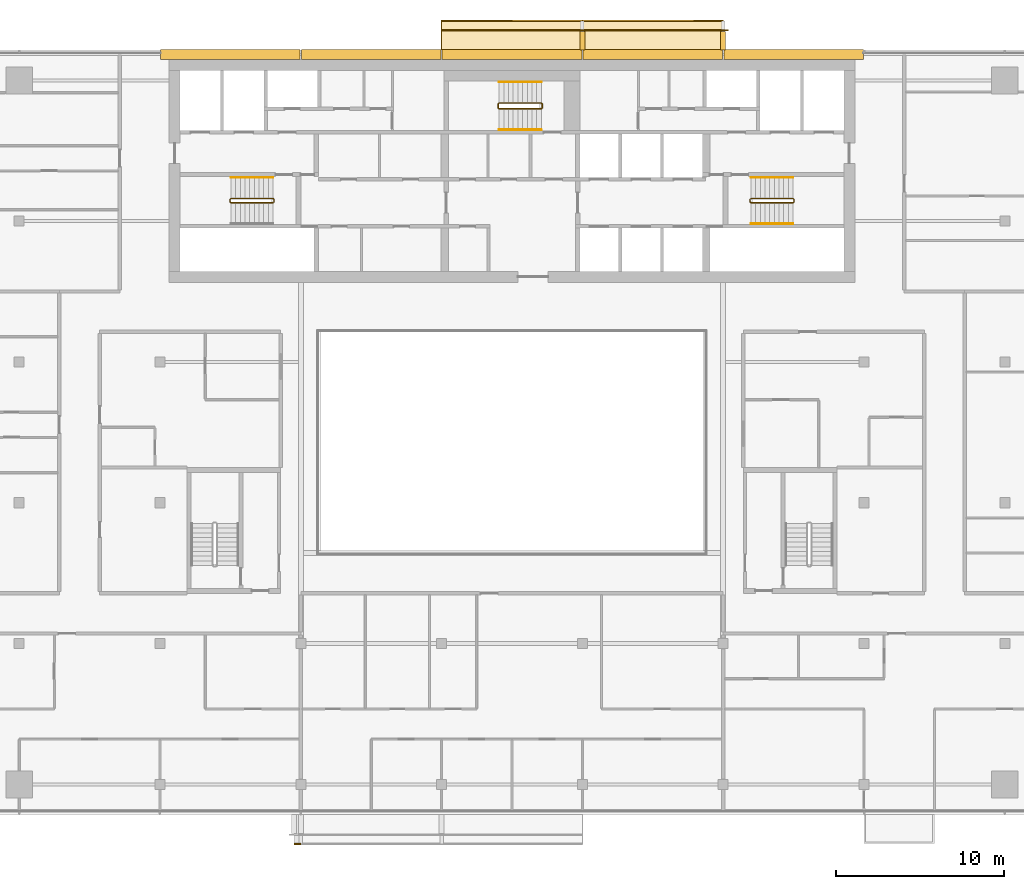
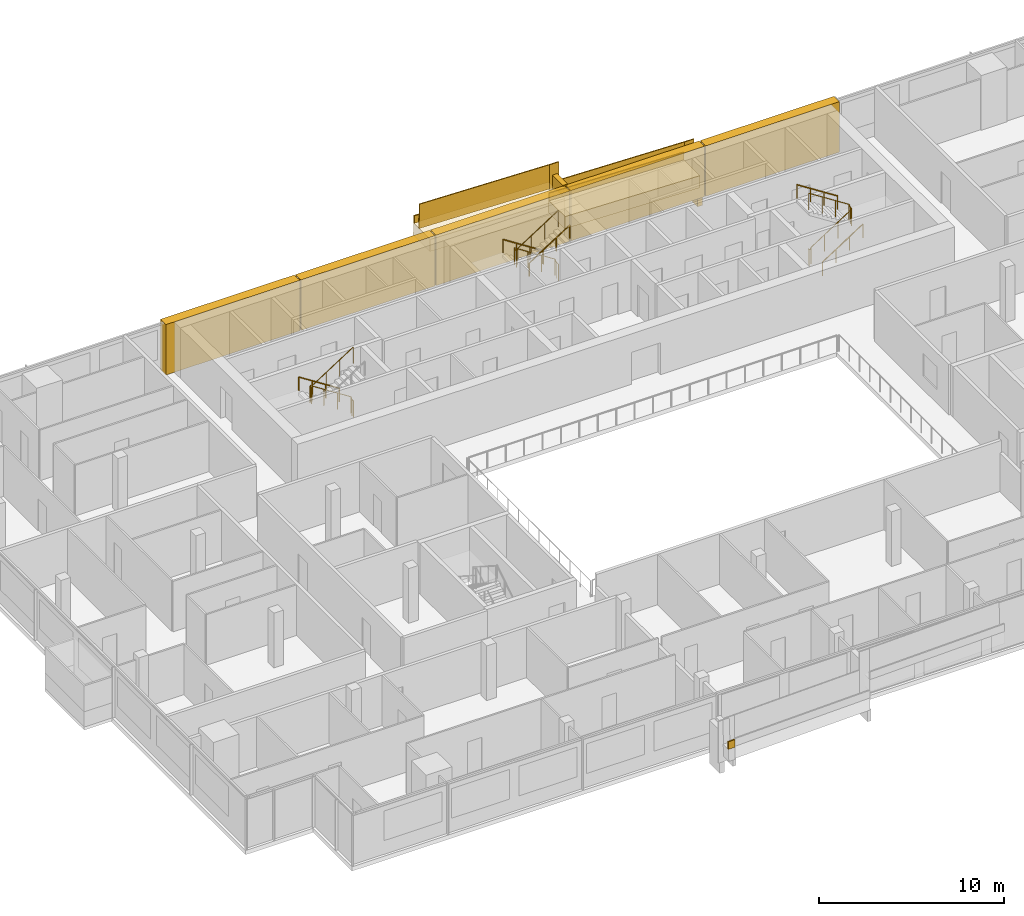
# One storey, part 26 of 26: 12 coverings, 12 railings.
"""IFC4 building model written with IfcOpenShell, lengths in metres."""

from ifc_helpers import new_model, si_unit, direction, frame, origin, origin_2d, place, context, subcontext, project, spatial, polyline, rectangle, circle, outline, extrude, material, layer, layer_set, type_object, element, save


model = new_model("IFC4")

# Units and contexts
model_context = context("Model", 3, precision=1e-05, world=origin(), true_north=direction((0.0, 1.0)))
body_context = subcontext(model_context, "Body", "Model", "MODEL_VIEW")
ifc_project = project(units=[si_unit("LENGTHUNIT", "METRE"), si_unit("AREAUNIT", "SQUARE_METRE"), si_unit("VOLUMEUNIT", "CUBIC_METRE"), si_unit("PLANEANGLEUNIT", "RADIAN"), si_unit("MASSUNIT", "GRAM", prefix="KILO")], contexts=[model_context])

# Site, building, storey
site_placement = place(None, origin())
site = spatial("IfcSite", under=ifc_project, at=site_placement, CompositionType="ELEMENT")
building_placement = place(site_placement, origin())
building = spatial("IfcBuilding", under=site, at=building_placement, Name="Saffron Gate Tower", CompositionType="ELEMENT")
storey_placement = place(building_placement, frame((0.0, 0.0, 230.699951171875)))
storey = spatial("IfcBuildingStorey", under=building, at=storey_placement, Name="L56", CompositionType="ELEMENT", Elevation=230.699951171875)

# Coverings
ifc_material_1 = material(Name="Ceramic-printed bronze insulated panel")
ifc_layer_1 = layer(ifc_material_1, 0.590087890625)
ifc_layer_set_1 = layer_set([ifc_layer_1], Name="CLD4 ceramic-printed cladding panel 590")
covering_type_1 = type_object("IfcCoveringType", Name="CLD4 ceramic-printed cladding panel 590", PredefinedType="CLADDING", material=ifc_layer_set_1)
covering_1_placement = place(storey_placement, origin())
element("IfcCovering", 1, at=covering_1_placement, inside=storey, type_object=covering_type_1, Name="CLADDING ceramic-printed panel", PredefinedType="CLADDING", context=body_context, shape_type="SweptSolid", body=[
    extrude(outline(polyline([(108.56494140625, 75.639892578125), (100.235107421875, 75.639892578125), (100.235107421875, 75.050048828125), (108.56494140625, 75.050048828125), (108.56494140625, 75.639892578125)])), origin(), (0.0, 0.0, 1.0), 3.320068359375),
])
covering_2_placement = place(storey_placement, origin())
element("IfcCovering", 2, at=covering_2_placement, inside=storey, type_object=covering_type_1, Name="CLADDING ceramic-printed panel", PredefinedType="CLADDING", context=body_context, shape_type="SweptSolid", body=[
    extrude(outline(polyline([(100.1650390625, 75.639892578125), (91.8349609375, 75.639892578125), (91.8349609375, 75.050048828125), (100.1650390625, 75.050048828125), (100.1650390625, 75.639892578125)])), origin(), (0.0, 0.0, 1.0), 3.320068359375),
])
covering_3_placement = place(storey_placement, origin())
element("IfcCovering", 3, at=covering_3_placement, inside=storey, type_object=covering_type_1, Name="CLADDING ceramic-printed panel", PredefinedType="CLADDING", context=body_context, shape_type="SweptSolid", body=[
    extrude(outline(polyline([(91.764892578125, 75.639892578125), (83.43505859375, 75.639892578125), (83.43505859375, 75.050048828125), (91.764892578125, 75.050048828125), (91.764892578125, 75.639892578125)])), origin(), (0.0, 0.0, 1.0), 3.320068359375),
])
covering_4_placement = place(storey_placement, origin())
element("IfcCovering", 4, at=covering_4_placement, inside=storey, type_object=covering_type_1, Name="CLADDING ceramic-printed panel", PredefinedType="CLADDING", context=body_context, shape_type="SweptSolid", body=[
    extrude(outline(polyline([(83.364990234375, 75.639892578125), (75.034912109375, 75.639892578125), (75.034912109375, 75.050048828125), (83.364990234375, 75.050048828125), (83.364990234375, 75.639892578125)])), origin(), (0.0, 0.0, 1.0), 3.320068359375),
])
covering_5_placement = place(storey_placement, origin())
element("IfcCovering", 5, at=covering_5_placement, inside=storey, type_object=covering_type_1, Name="CLADDING ceramic-printed panel", PredefinedType="CLADDING", context=body_context, shape_type="SweptSolid", body=[
    extrude(outline(polyline([(74.965087890625, 75.639892578125), (66.635009765625, 75.639892578125), (66.635009765625, 75.050048828125), (74.965087890625, 75.050048828125), (74.965087890625, 75.639892578125)])), origin(), (0.0, 0.0, 1.0), 3.320068359375),
])

# Railings
ifc_material_2 = material(Name="Stainless steel and laminated glass", Category="steel")
railing_type_1 = type_object("IfcRailingType", Name="CR1 Stair guard 1100", PredefinedType="GUARDRAIL", material=ifc_material_2)
railing_1_placement = place(storey_placement, frame((73.39990234375, 66.550048828125, 0.0)))
element("IfcRailing", 6, at=railing_1_placement, inside=storey, type_object=railing_type_1, Name="L56 ST-A stair guard 1", PredefinedType="GUARDRAIL", context=body_context, shape_type="SweptSolid", body=[
    extrude(circle(Radius=0.02392578125, at=origin_2d()), frame((0.0, 0.0, 1.076171875), z_axis=(0.0, 1.0, 0.0), x_axis=(-1.0, 0.0, 0.0)), (0.0, 0.0, 1.0), 0.14990234375),
    extrude(circle(Radius=0.02392578125, at=origin_2d()), frame((0.0, 0.14990234375, 1.076171875), z_axis=(-0.257669022063, 0.258932105505, 0.930892496375), x_axis=(-0.708833529934, -0.705375805398, 0.0)), (0.0, 0.0, 1.0), 0.193359375),
    extrude(circle(Radius=0.02392578125, at=origin_2d()), frame((-0.0498046875, 0.199951171875, 1.255859375), z_axis=(-0.841162588446, 0.0, 0.540782303519), x_axis=(0.0, -1.0, 0.0)), (0.0, 0.0, 1.0), 2.995849609375),
    extrude(circle(Radius=0.02392578125, at=origin_2d()), frame((-2.56982421875, 0.199951171875, 2.8759765625), z_axis=(-0.707106781187, -0.707106781187, 0.0), x_axis=(0.707106781187, -0.707106781187, 0.0)), (0.0, 0.0, 1.0), 0.07080078125),
    extrude(circle(Radius=0.02392578125, at=origin_2d()), frame((-2.619873046875, 0.14990234375, 2.8759765625), z_axis=(0.0, -1.0, 0.0), x_axis=(1.0, 0.0, 0.0)), (0.0, 0.0, 1.0), 0.14990234375),
    extrude(circle(Radius=0.02392578125, at=origin_2d()), frame((-2.619873046875, 0.0, 2.8759765625), z_axis=(0.258847668887, -0.258847668887, 0.930588936439), x_axis=(0.707106781187, 0.707106781187, 0.0)), (0.0, 0.0, 1.0), 0.193359375),
    extrude(circle(Radius=0.02392578125, at=origin_2d()), frame((-2.56982421875, -0.050048828125, 3.05615234375), z_axis=(0.841162588446, 0.0, 0.540782303519), x_axis=(0.0, 1.0, 0.0)), (0.0, 0.0, 1.0), 2.995849609375),
    extrude(circle(Radius=0.02099609375, at=origin_2d()), origin(), (0.0, 0.0, 1.0), 1.052001953125),
    extrude(circle(Radius=0.02099609375, at=origin_2d()), frame((0.0, 0.14990234375, 0.0)), (0.0, 0.0, 1.0), 1.052001953125),
    extrude(circle(Radius=0.02099609375, at=origin_2d()), frame((-0.0498046875, 0.199951171875, 0.179931640625)), (0.0, 0.0, 1.0), 1.052001953125),
    extrude(circle(Radius=0.02099609375, at=origin_2d()), frame((-0.889892578125, 0.199951171875, 0.719970703125)), (0.0, 0.0, 1.0), 1.052001953125),
    extrude(circle(Radius=0.02099609375, at=origin_2d()), frame((-1.729736328125, 0.199951171875, 1.260009765625)), (0.0, 0.0, 1.0), 1.052001953125),
    extrude(circle(Radius=0.02099609375, at=origin_2d()), frame((-2.56982421875, 0.199951171875, 1.800048828125)), (0.0, 0.0, 1.0), 1.052001953125),
    extrude(circle(Radius=0.02099609375, at=origin_2d()), frame((-2.619873046875, 0.14990234375, 1.800048828125)), (0.0, 0.0, 1.0), 1.052001953125),
    extrude(circle(Radius=0.02099609375, at=origin_2d()), frame((-2.619873046875, 0.0, 1.800048828125)), (0.0, 0.0, 1.0), 1.052001953125),
    extrude(circle(Radius=0.02099609375, at=origin_2d()), frame((-2.56982421875, -0.050048828125, 1.97998046875)), (0.0, 0.0, 1.0), 1.052001953125),
    extrude(circle(Radius=0.02099609375, at=origin_2d()), frame((-1.729736328125, -0.050048828125, 2.52001953125)), (0.0, 0.0, 1.0), 1.052001953125),
    extrude(circle(Radius=0.02099609375, at=origin_2d()), frame((-0.889892578125, -0.050048828125, 3.06005859375)), (0.0, 0.0, 1.0), 1.052001953125),
    extrude(circle(Radius=0.02099609375, at=origin_2d()), frame((-0.0498046875, -0.050048828125, 3.60009765625)), (0.0, 0.0, 1.0), 1.052001953125),
])
railing_2_placement = place(storey_placement, frame((101.800048828125, 66.699951171875, 0.0)))
element("IfcRailing", 7, at=railing_2_placement, inside=storey, type_object=railing_type_1, Name="L56 ST-B stair guard 1", PredefinedType="GUARDRAIL", context=body_context, shape_type="SweptSolid", body=[
    extrude(circle(Radius=0.02392578125, at=origin_2d()), frame((0.0, 0.0, 1.076171875), z_axis=(0.0, -1.0, 0.0), x_axis=(1.0, 0.0, 0.0)), (0.0, 0.0, 1.0), 0.14990234375),
    extrude(circle(Radius=0.02392578125, at=origin_2d()), frame((0.0, -0.14990234375, 1.076171875), z_axis=(0.258847668887, -0.258847668887, 0.930588936439), x_axis=(0.707106781187, 0.707106781187, 0.0)), (0.0, 0.0, 1.0), 0.193359375),
    extrude(circle(Radius=0.02392578125, at=origin_2d()), frame((0.050048828125, -0.199951171875, 1.255859375), z_axis=(0.841162588446, 0.0, 0.540782303519), x_axis=(0.0, 1.0, 0.0)), (0.0, 0.0, 1.0), 2.995849609375),
    extrude(circle(Radius=0.02392578125, at=origin_2d()), frame((2.570068359375, -0.199951171875, 2.8759765625), z_axis=(0.705375805398, 0.708833529934, 0.0), x_axis=(-0.708833529934, 0.705375805398, 0.0)), (0.0, 0.0, 1.0), 0.070556640625),
    extrude(circle(Radius=0.02392578125, at=origin_2d()), frame((2.619873046875, -0.14990234375, 2.8759765625), z_axis=(0.0, 1.0, 0.0), x_axis=(-1.0, 0.0, 0.0)), (0.0, 0.0, 1.0), 0.14990234375),
    extrude(circle(Radius=0.02392578125, at=origin_2d()), frame((2.619873046875, 0.0, 2.8759765625), z_axis=(-0.257669022063, 0.258932105505, 0.930892496375), x_axis=(-0.708833529934, -0.705375805398, 0.0)), (0.0, 0.0, 1.0), 0.193359375),
    extrude(circle(Radius=0.02392578125, at=origin_2d()), frame((2.570068359375, 0.050048828125, 3.05615234375), z_axis=(-0.841162588446, 0.0, 0.540782303519), x_axis=(0.0, -1.0, 0.0)), (0.0, 0.0, 1.0), 2.995849609375),
    extrude(circle(Radius=0.02099609375, at=origin_2d()), origin(), (0.0, 0.0, 1.0), 1.052001953125),
    extrude(circle(Radius=0.02099609375, at=origin_2d()), frame((0.0, -0.14990234375, 0.0)), (0.0, 0.0, 1.0), 1.052001953125),
    extrude(circle(Radius=0.02099609375, at=origin_2d()), frame((0.050048828125, -0.199951171875, 0.179931640625)), (0.0, 0.0, 1.0), 1.052001953125),
    extrude(circle(Radius=0.02099609375, at=origin_2d()), frame((0.89013671875, -0.199951171875, 0.719970703125)), (0.0, 0.0, 1.0), 1.052001953125),
    extrude(circle(Radius=0.02099609375, at=origin_2d()), frame((1.72998046875, -0.199951171875, 1.260009765625)), (0.0, 0.0, 1.0), 1.052001953125),
    extrude(circle(Radius=0.02099609375, at=origin_2d()), frame((2.570068359375, -0.199951171875, 1.800048828125)), (0.0, 0.0, 1.0), 1.052001953125),
    extrude(circle(Radius=0.02099609375, at=origin_2d()), frame((2.619873046875, -0.14990234375, 1.800048828125)), (0.0, 0.0, 1.0), 1.052001953125),
    extrude(circle(Radius=0.02099609375, at=origin_2d()), frame((2.619873046875, 0.0, 1.800048828125)), (0.0, 0.0, 1.0), 1.052001953125),
    extrude(circle(Radius=0.02099609375, at=origin_2d()), frame((2.570068359375, 0.050048828125, 1.97998046875)), (0.0, 0.0, 1.0), 1.052001953125),
    extrude(circle(Radius=0.02099609375, at=origin_2d()), frame((1.72998046875, 0.050048828125, 2.52001953125)), (0.0, 0.0, 1.0), 1.052001953125),
    extrude(circle(Radius=0.02099609375, at=origin_2d()), frame((0.89013671875, 0.050048828125, 3.06005859375)), (0.0, 0.0, 1.0), 1.052001953125),
    extrude(circle(Radius=0.02099609375, at=origin_2d()), frame((0.050048828125, 0.050048828125, 3.60009765625)), (0.0, 0.0, 1.0), 1.052001953125),
])
railing_3_placement = place(storey_placement, frame((89.39990234375, 72.14990234375, 0.0)))
element("IfcRailing", 8, at=railing_3_placement, inside=storey, type_object=railing_type_1, Name="L56 ST-C stair guard 1", PredefinedType="GUARDRAIL", context=body_context, shape_type="SweptSolid", body=[
    extrude(circle(Radius=0.02392578125, at=origin_2d()), frame((0.0, 0.0, 1.076171875), z_axis=(0.0, 1.0, 0.0), x_axis=(-1.0, 0.0, 0.0)), (0.0, 0.0, 1.0), 0.25),
    extrude(circle(Radius=0.02392578125, at=origin_2d()), frame((0.0, 0.25, 1.076171875), z_axis=(-0.257669022063, 0.258932105505, 0.930892496375), x_axis=(-0.708833529934, -0.705375805398, 0.0)), (0.0, 0.0, 1.0), 0.193359375),
    extrude(circle(Radius=0.02392578125, at=origin_2d()), frame((-0.0498046875, 0.300048828125, 1.255859375), z_axis=(-0.841162588446, 0.0, 0.540782303519), x_axis=(0.0, -1.0, 0.0)), (0.0, 0.0, 1.0), 2.995849609375),
    extrude(circle(Radius=0.02392578125, at=origin_2d()), frame((-2.56982421875, 0.300048828125, 2.8759765625), z_axis=(-0.707106781187, -0.707106781187, 0.0), x_axis=(0.707106781187, -0.707106781187, 0.0)), (0.0, 0.0, 1.0), 0.07080078125),
    extrude(circle(Radius=0.02392578125, at=origin_2d()), frame((-2.619873046875, 0.25, 2.8759765625), z_axis=(0.0, -1.0, 0.0), x_axis=(1.0, 0.0, 0.0)), (0.0, 0.0, 1.0), 0.25),
    extrude(circle(Radius=0.02392578125, at=origin_2d()), frame((-2.619873046875, 0.0, 2.8759765625), z_axis=(0.258932105505, -0.257669022063, 0.930892496375), x_axis=(0.705375805398, 0.708833529934, 0.0)), (0.0, 0.0, 1.0), 0.193359375),
    extrude(circle(Radius=0.02392578125, at=origin_2d()), frame((-2.56982421875, -0.0498046875, 3.05615234375), z_axis=(0.841162588446, 0.0, 0.540782303519), x_axis=(0.0, 1.0, 0.0)), (0.0, 0.0, 1.0), 2.995849609375),
    extrude(circle(Radius=0.02099609375, at=origin_2d()), origin(), (0.0, 0.0, 1.0), 1.052001953125),
    extrude(circle(Radius=0.02099609375, at=origin_2d()), frame((0.0, 0.25, 0.0)), (0.0, 0.0, 1.0), 1.052001953125),
    extrude(circle(Radius=0.02099609375, at=origin_2d()), frame((-0.0498046875, 0.300048828125, 0.179931640625)), (0.0, 0.0, 1.0), 1.052001953125),
    extrude(circle(Radius=0.02099609375, at=origin_2d()), frame((-0.889892578125, 0.300048828125, 0.719970703125)), (0.0, 0.0, 1.0), 1.052001953125),
    extrude(circle(Radius=0.02099609375, at=origin_2d()), frame((-1.729736328125, 0.300048828125, 1.260009765625)), (0.0, 0.0, 1.0), 1.052001953125),
    extrude(circle(Radius=0.02099609375, at=origin_2d()), frame((-2.56982421875, 0.300048828125, 1.800048828125)), (0.0, 0.0, 1.0), 1.052001953125),
    extrude(circle(Radius=0.02099609375, at=origin_2d()), frame((-2.619873046875, 0.25, 1.800048828125)), (0.0, 0.0, 1.0), 1.052001953125),
    extrude(circle(Radius=0.02099609375, at=origin_2d()), frame((-2.619873046875, 0.0, 1.800048828125)), (0.0, 0.0, 1.0), 1.052001953125),
    extrude(circle(Radius=0.02099609375, at=origin_2d()), frame((-2.56982421875, -0.0498046875, 1.97998046875)), (0.0, 0.0, 1.0), 1.052001953125),
    extrude(circle(Radius=0.02099609375, at=origin_2d()), frame((-1.729736328125, -0.0498046875, 2.52001953125)), (0.0, 0.0, 1.0), 1.052001953125),
    extrude(circle(Radius=0.02099609375, at=origin_2d()), frame((-0.889892578125, -0.0498046875, 3.06005859375)), (0.0, 0.0, 1.0), 1.052001953125),
    extrude(circle(Radius=0.02099609375, at=origin_2d()), frame((-0.0498046875, -0.0498046875, 3.60009765625)), (0.0, 0.0, 1.0), 1.052001953125),
])
ifc_material_3 = material(Name="Stainless steel", Category="steel")
railing_type_2 = type_object("IfcRailingType", Name="CR2 Stair handrail 900", PredefinedType="HANDRAIL", material=ifc_material_3)
railing_4_placement = place(storey_placement, frame((73.35009765625, 68.0, 0.179931640625)))
element("IfcRailing", 9, at=railing_4_placement, inside=storey, type_object=railing_type_2, Name="L56 ST-A stair handrail 1", PredefinedType="HANDRAIL", context=body_context, shape_type="SweptSolid", body=[
    extrude(circle(Radius=0.02392578125, at=origin_2d()), frame((0.0, 0.0, 0.8759765625), z_axis=(-0.841162588446, 0.0, 0.540782303519), x_axis=(0.0, -1.0, 0.0)), (0.0, 0.0, 1.0), 2.995849609375),
    extrude(circle(Radius=0.02099609375, at=origin_2d()), origin(), (0.0, 0.0, 1.0), 0.851806640625),
    extrude(circle(Radius=0.02099609375, at=origin_2d()), frame((-0.840087890625, 0.0, 0.5400390625)), (0.0, 0.0, 1.0), 0.851806640625),
    extrude(circle(Radius=0.02099609375, at=origin_2d()), frame((-1.679931640625, 0.0, 1.080078125)), (0.0, 0.0, 1.0), 0.851806640625),
    extrude(circle(Radius=0.02099609375, at=origin_2d()), frame((-2.52001953125, 0.0, 1.6201171875)), (0.0, 0.0, 1.0), 0.851806640625),
])
railing_5_placement = place(storey_placement, frame((101.85009765625, 65.25, 0.179931640625)))
element("IfcRailing", 10, at=railing_5_placement, inside=storey, type_object=railing_type_2, Name="L56 ST-B stair handrail 1", PredefinedType="HANDRAIL", context=body_context, shape_type="SweptSolid", body=[
    extrude(circle(Radius=0.02392578125, at=origin_2d()), frame((0.0, 0.0, 0.8759765625), z_axis=(0.841162588446, 0.0, 0.540782303519), x_axis=(0.0, 1.0, 0.0)), (0.0, 0.0, 1.0), 2.995849609375),
    extrude(circle(Radius=0.02099609375, at=origin_2d()), origin(), (0.0, 0.0, 1.0), 0.851806640625),
    extrude(circle(Radius=0.02099609375, at=origin_2d()), frame((0.840087890625, 0.0, 0.5400390625)), (0.0, 0.0, 1.0), 0.851806640625),
    extrude(circle(Radius=0.02099609375, at=origin_2d()), frame((1.679931640625, 0.0, 1.080078125)), (0.0, 0.0, 1.0), 0.851806640625),
    extrude(circle(Radius=0.02099609375, at=origin_2d()), frame((2.52001953125, 0.0, 1.6201171875)), (0.0, 0.0, 1.0), 0.851806640625),
])
for number, where, name in (
    (11, (104.3701171875, 68.0, 1.97998046875), "L56 ST-B stair handrail 2"),
    (12, (89.35009765625, 73.699951171875, 0.179931640625), "L56 ST-C stair handrail 1"),
):
    element("IfcRailing", number, at=place(storey_placement, frame(where)), inside=storey, type_object=railing_type_2, Name=name, PredefinedType="HANDRAIL", context=body_context, shape_type="SweptSolid", body=[
        extrude(circle(Radius=0.02392578125, at=origin_2d()), frame((0.0, 0.0, 0.8759765625), z_axis=(-0.841162588446, 0.0, 0.540782303519), x_axis=(0.0, -1.0, 0.0)), (0.0, 0.0, 1.0), 2.995849609375),
        extrude(circle(Radius=0.02099609375, at=origin_2d()), origin(), (0.0, 0.0, 1.0), 0.851806640625),
        extrude(circle(Radius=0.02099609375, at=origin_2d()), frame((-0.840087890625, 0.0, 0.5400390625)), (0.0, 0.0, 1.0), 0.851806640625),
        extrude(circle(Radius=0.02099609375, at=origin_2d()), frame((-1.679931640625, 0.0, 1.080078125)), (0.0, 0.0, 1.0), 0.851806640625),
        extrude(circle(Radius=0.02099609375, at=origin_2d()), frame((-2.52001953125, 0.0, 1.6201171875)), (0.0, 0.0, 1.0), 0.851806640625),
    ])
railing_6_placement = place(storey_placement, frame((86.830078125, 70.85009765625, 1.97998046875)))
element("IfcRailing", 13, at=railing_6_placement, inside=storey, type_object=railing_type_2, Name="L56 ST-C stair handrail 2", PredefinedType="HANDRAIL", context=body_context, shape_type="SweptSolid", body=[
    extrude(circle(Radius=0.02392578125, at=origin_2d()), frame((0.0, 0.0, 0.8759765625), z_axis=(0.841162588446, 0.0, 0.540782303519), x_axis=(0.0, 1.0, 0.0)), (0.0, 0.0, 1.0), 2.995849609375),
    extrude(circle(Radius=0.02099609375, at=origin_2d()), origin(), (0.0, 0.0, 1.0), 0.851806640625),
    extrude(circle(Radius=0.02099609375, at=origin_2d()), frame((0.840087890625, 0.0, 0.5400390625)), (0.0, 0.0, 1.0), 0.851806640625),
    extrude(circle(Radius=0.02099609375, at=origin_2d()), frame((1.679931640625, 0.0, 1.080078125)), (0.0, 0.0, 1.0), 0.851806640625),
    extrude(circle(Radius=0.02099609375, at=origin_2d()), frame((2.52001953125, 0.0, 1.6201171875)), (0.0, 0.0, 1.0), 0.851806640625),
])

# Coverings
ifc_material_4 = material(Name="Timber, thermally modified ash", Category="wood")
ifc_layer_2 = layer(ifc_material_4, 0.800048828125)
ifc_layer_set_2 = layer_set([ifc_layer_2], Name="LD1 ledge timber")
covering_type_2 = type_object("IfcCoveringType", Name="LD1 ledge timber", PredefinedType="CLADDING", material=ifc_layer_set_2)
covering_6_placement = place(storey_placement, frame((100.199951171875, 75.60009765625, 1.0439453125), z_axis=(0.028791175352, 0.0, 0.999585448184), x_axis=(-0.999585448184, 0.0, 0.028791175352)))
element("IfcCovering", 14, at=covering_6_placement, inside=storey, type_object=covering_type_2, Name="LEDGE", PredefinedType="CLADDING", context=body_context, shape_type="SweptSolid", body=[
    extrude(outline(polyline([(0.0, 0.0), (8.403385982666892, 0.0), (8.403385982666892, -1.7998046875), (0.0, -1.7998046875), (0.0, 0.0)])), origin(), (0.0, 0.0, -1.0), 0.800048828125),
])
covering_7_placement = place(storey_placement, frame((91.800048828125, 75.60009765625, 2.486328125), z_axis=(0.028790339263, 0.0, 0.999585472266), x_axis=(-0.999585472266, 0.0, 0.028790339263)))
element("IfcCovering", 15, at=covering_7_placement, inside=storey, type_object=covering_type_2, Name="LEDGE", PredefinedType="CLADDING", context=body_context, shape_type="SweptSolid", body=[
    extrude(outline(polyline([(0.0, 0.0), (8.403630022085892, 0.0), (8.403630022085892, -1.7998046875), (0.0, -1.7998046875), (0.0, 0.0)])), origin(), (0.0, 0.0, -1.0), 0.800048828125),
])
ifc_layer_3 = layer(ifc_material_4, 0.080078125)
ifc_layer_set_3 = layer_set([ifc_layer_3], Name="LD2 ledge planter trough")
covering_type_3 = type_object("IfcCoveringType", Name="LD2 ledge planter trough", PredefinedType="CLADDING", material=ifc_layer_set_3)
covering_8_placement = place(storey_placement, frame((100.199951171875, 77.39990234375, 1.0439453125), z_axis=(0.0, 1.0, 0.0), x_axis=(-0.999585448184, 0.0, 0.028791175352)))
element("IfcCovering", 16, at=covering_8_placement, inside=storey, type_object=covering_type_3, Name="LEDGE planter trough", PredefinedType="CLADDING", context=body_context, shape_type="SweptSolid", body=[
    extrude(outline(polyline([(0.0, 0.0), (8.403385982666892, 0.0), (8.417781570342743, 0.49979272409216496), (0.014395587675851172, 0.4997927240921649), (0.0, 0.0)])), origin(), (0.0, 0.0, -1.0), 0.080078125),
])
covering_9_placement = place(storey_placement, frame((91.800048828125, 77.39990234375, 2.486328125), z_axis=(0.0, 1.0, 0.0), x_axis=(-0.999585472266, 0.0, 0.028790339263)))
element("IfcCovering", 17, at=covering_9_placement, inside=storey, type_object=covering_type_3, Name="LEDGE planter trough", PredefinedType="CLADDING", context=body_context, shape_type="SweptSolid", body=[
    extrude(outline(polyline([(0.0, 0.0), (8.403630022085892, 0.0), (8.418025191717298, 0.4997927361329725), (0.014395169631405694, 0.4997927361329725), (0.0, 0.0)])), origin(), (0.0, 0.0, -1.0), 0.080078125),
])
covering_10_placement = place(storey_placement, frame((74.60009765625, 28.199951171875, 0.975341796875), z_axis=(0.0, -1.0, 0.0), x_axis=(0.999588594726, 0.0, 0.028681724025)))
element("IfcCovering", 18, at=covering_10_placement, inside=storey, type_object=covering_type_3, Name="LEDGE planter trough", PredefinedType="CLADDING", context=body_context, shape_type="SweptSolid", body=[
    extrude(outline(polyline([(0.0, 0.0), (0.40006693339621563, 0.0), (0.4144077954084678, 0.4997942973631708), (0.014340862012252152, 0.49979429736317077), (0.0, 0.0)])), origin(), (0.0, 0.0, -1.0), 0.080078125),
])
ifc_layer_4 = layer(ifc_material_4, 0.300048828125)
ifc_layer_set_4 = layer_set([ifc_layer_4], Name="LD3 ledge riser fin")
covering_type_4 = type_object("IfcCoveringType", Name="LD3 ledge riser fin", PredefinedType="CLADDING", material=ifc_layer_set_4)
for number, where, z_axis, x_axis, name in (
    (19, (100.199951171875, 76.159912109375, -0.956298828125), (0.0, 0.0, 1.0), (-1.0, 0.0, 0.0), "LEDGE riser fin"),
    (20, (91.800048828125, 76.159912109375, 0.48583984375), (0.0, 0.0, 1.0), (-1.0, 0.0, 0.0), "LEDGE riser fin"),
):
    element("IfcCovering", number, at=place(storey_placement, frame(where, z_axis=z_axis, x_axis=x_axis)), inside=storey, type_object=covering_type_4, Name=name, PredefinedType="CLADDING", context=body_context, shape_type="SweptSolid", body=[
        extrude(rectangle(XDim=0.300048828125, YDim=1.1201171875, at=origin_2d()), origin(), (0.0, 0.0, 1.0), 2.900390625),
    ])

# Railings
railing_type_3 = type_object("IfcRailingType", Name="LG1 ledge balustrade", PredefinedType="BALUSTRADE", material=ifc_material_4)
railing_7_placement = place(storey_placement, frame((100.199951171875, 76.800048828125, 1.0439453125)))
element("IfcRailing", 21, at=railing_7_placement, inside=storey, type_object=railing_type_3, Name="LEDGE BALUSTRADE", PredefinedType="BALUSTRADE", context=body_context, shape_type="SweptSolid", body=[
    extrude(rectangle(XDim=0.06005859375, YDim=1.60009765625, at=origin_2d()), frame((0.0, 0.0, 0.800048828125), z_axis=(-0.999585448184, 0.0, 0.028791175352), x_axis=(0.0, -1.0, 0.0)), (0.0, 0.0, 1.0), 8.4033203125),
])
railing_8_placement = place(storey_placement, frame((100.5, 76.800048828125, -0.156494140625)))
element("IfcRailing", 22, at=railing_8_placement, inside=storey, type_object=railing_type_3, Name="LEDGE BALUSTRADE", PredefinedType="BALUSTRADE", context=body_context, shape_type="SweptSolid", body=[
    extrude(rectangle(XDim=0.06005859375, YDim=2.80029296875, at=origin_2d()), frame((0.0, 0.0, 1.400146484375), z_axis=(-1.0, 0.0, 0.0), x_axis=(0.0, -1.0, 0.0)), (0.0, 0.0, 1.0), 0.60009765625),
])
railing_9_placement = place(storey_placement, frame((91.800048828125, 76.800048828125, 2.486328125)))
element("IfcRailing", 23, at=railing_9_placement, inside=storey, type_object=railing_type_3, Name="LEDGE BALUSTRADE", PredefinedType="BALUSTRADE", context=body_context, shape_type="SweptSolid", body=[
    extrude(rectangle(XDim=0.06005859375, YDim=1.60009765625, at=origin_2d()), frame((0.0, 0.0, 0.800048828125), z_axis=(-0.999585472266, 0.0, 0.028790339263), x_axis=(0.0, -1.0, 0.0)), (0.0, 0.0, 1.0), 8.403564453125),
])
railing_10_placement = place(storey_placement, frame((92.10009765625, 76.800048828125, 1.285888671875)))
element("IfcRailing", 24, at=railing_10_placement, inside=storey, type_object=railing_type_3, Name="LEDGE BALUSTRADE", PredefinedType="BALUSTRADE", context=body_context, shape_type="SweptSolid", body=[
    extrude(rectangle(XDim=0.06005859375, YDim=2.80029296875, at=origin_2d()), frame((0.0, 0.0, 1.400146484375), z_axis=(-1.0, 0.0, 0.0), x_axis=(0.0, -1.0, 0.0)), (0.0, 0.0, 1.0), 0.60009765625),
])

save(model, "model.ifc")
